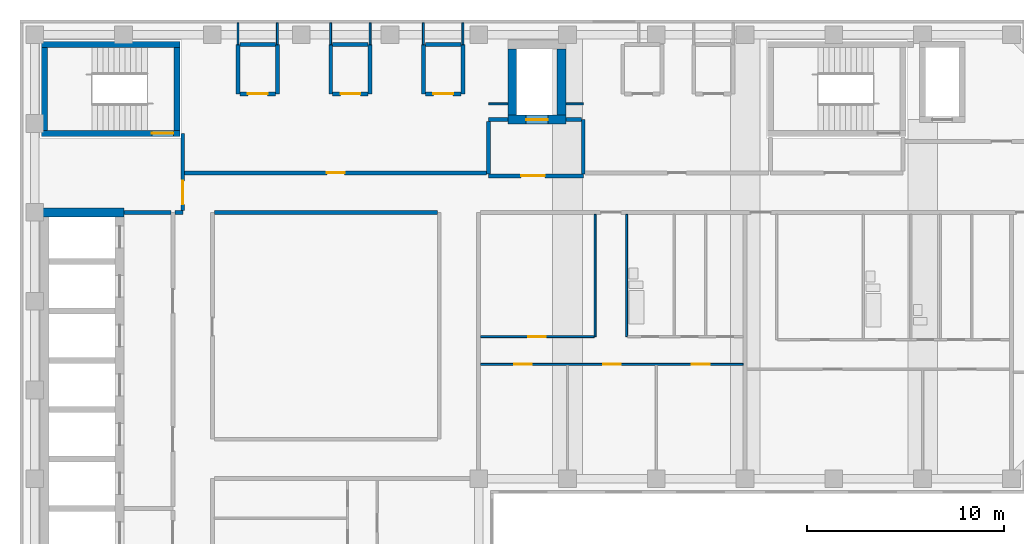
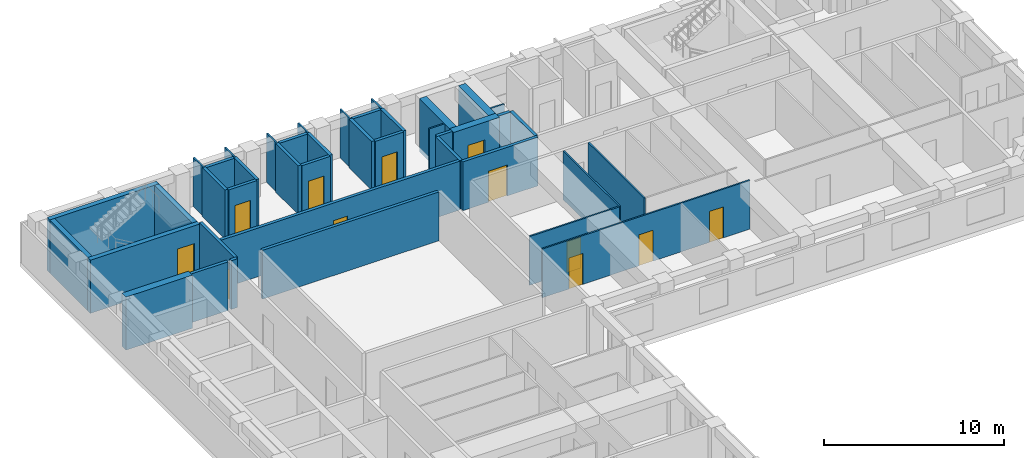
# One storey, part 5 of 10: 42 walls, 12 doors, 12 openings.
"""IFC4 building model written with IfcOpenShell, lengths in metres."""

from ifc_helpers import new_model, si_unit, direction, frame, frame_2d, origin, place, context, subcontext, project, spatial, rectangle, extrude, material, layer, layer_set, type_object, element, fill, save


model = new_model("IFC4")

# Units and contexts
model_context = context("Model", 3, precision=1e-05, world=origin(), true_north=direction((0.0, 1.0)))
body_context = subcontext(model_context, "Body", "Model", "MODEL_VIEW")
ifc_project = project(units=[si_unit("LENGTHUNIT", "METRE"), si_unit("AREAUNIT", "SQUARE_METRE"), si_unit("VOLUMEUNIT", "CUBIC_METRE"), si_unit("PLANEANGLEUNIT", "RADIAN"), si_unit("MASSUNIT", "GRAM", prefix="KILO")], contexts=[model_context])

# Site, building, storey
site_placement = place(None, origin())
site = spatial("IfcSite", under=ifc_project, at=site_placement, CompositionType="ELEMENT")
building_placement = place(site_placement, origin())
building = spatial("IfcBuilding", under=site, at=building_placement, Name="Firuza Court", CompositionType="ELEMENT")
storey_placement = place(building_placement, frame((0.0, 0.0, 193.39990234375)))
storey = spatial("IfcBuildingStorey", under=building, at=storey_placement, Name="L49", CompositionType="ELEMENT", Elevation=193.39990234375)

# Wall
ifc_material_1 = material(Name="Moisture-resistant gypsum board partition")
ifc_layer_1 = layer(ifc_material_1, 0.10009765625)
ifc_layer_set_1 = layer_set([ifc_layer_1], Name="Moisture-resistant gypsum board partition")
wall_type_1 = type_object("IfcWallType", Name="Bathroom partition 100", PredefinedType="PLUMBINGWALL", material=ifc_layer_set_1)
wall_1_placement = place(storey_placement, frame((30.0, 43.199951171875, 0.0), z_axis=(0.0, 0.0, 1.0), x_axis=(0.0, 1.0, 0.0)))
element("IfcWall", 1, at=wall_1_placement, inside=storey, type_object=wall_type_1, Name="Bathroom partition 100 L49", PredefinedType="PLUMBINGWALL", context=body_context, shape_type="SweptSolid", body=[
    extrude(rectangle(XDim=6.199951171875, YDim=0.10009765625, at=frame_2d((3.10009765625, 0.0))), origin(), (0.0, 0.0, 1.0), 3.300048828125),
])

# Wall, opening, door
ifc_material_2 = material(Name="Concrete C50/60", Category="concrete")
ifc_layer_2 = layer(ifc_material_2, 0.300048828125)
ifc_layer_set_2 = layer_set([ifc_layer_2], Name="Concrete C50/60")
wall_type_2 = type_object("IfcWallType", Name="Core wall 300 C50/60", PredefinedType="SHEAR", material=ifc_layer_set_2)
wall_2_placement = place(storey_placement, frame((0.35009765625, 53.5, -0.2998046875), z_axis=(0.0, 0.0, 1.0), x_axis=(1.0, 0.0, 0.0)))
wall_2 = element("IfcWall", 2, at=wall_2_placement, inside=storey, type_object=wall_type_2, Name="Core wall stair L49", PredefinedType="SHEAR", context=body_context, shape_type="SweptSolid", body=[
    extrude(rectangle(XDim=7.0, YDim=0.300048828125, at=frame_2d((3.5, 0.0))), origin(), (0.0, 0.0, 1.0), 3.599853515625),
])
opening_1_placement = place(wall_2_placement, frame((5.580078125, 0.0, 0.300048828125)))
opening_1 = element("IfcOpeningElement", 3, at=opening_1_placement, cuts=wall_2, Name="Opening D49014", PredefinedType="OPENING", context=body_context, shape_type="SweptSolid", body=[
    extrude(rectangle(XDim=1.10009765625, YDim=2.10009765625, at=frame_2d((0.550048828125, 1.050048828125))), frame((0.0, 0.162109375, 0.0), z_axis=(0.0, -1.0, 0.0), x_axis=(1.0, 0.0, 0.0)), (0.0, 0.0, 1.0), 0.323974609375),
])
ifc_material_3 = material(Name="Timber door leaf in hardwood frame", Category="wood")
door_type_1 = type_object("IfcDoorType", Name="Stair door 1100", OperationType="SINGLE_SWING_LEFT", PredefinedType="DOOR", material=ifc_material_3)
door_1_placement = place(opening_1_placement, origin())
door_1 = element("IfcDoor", 4, at=door_1_placement, inside=storey, type_object=door_type_1, Name="Stair door S3", OperationType="SINGLE_SWING_RIGHT", OverallHeight=2.10009765625, OverallWidth=1.10009765625, PredefinedType="DOOR", context=body_context, shape_type="SweptSolid", body=[
    extrude(rectangle(XDim=1.10009765625, YDim=2.10009765625, at=frame_2d((0.550048828125, 1.050048828125))), frame((0.0, 0.02490234375, 0.0), z_axis=(0.0, -1.0, 0.0), x_axis=(1.0, 0.0, 0.0)), (0.0, 0.0, 1.0), 0.050048828125),
])
fill(opening_1, door_1)

# Walls
wall_3_placement = place(storey_placement, frame((0.35009765625, 58.0, -0.2998046875), z_axis=(0.0, 0.0, 1.0), x_axis=(1.0, 0.0, 0.0)))
element("IfcWall", 5, at=wall_3_placement, inside=storey, type_object=wall_type_2, Name="Core wall stair L49", PredefinedType="SHEAR", context=body_context, shape_type="SweptSolid", body=[
    extrude(rectangle(XDim=7.0, YDim=0.300048828125, at=frame_2d((3.5, 0.0))), origin(), (0.0, 0.0, 1.0), 3.599853515625),
])
for number, where, z_axis, x_axis, name in (
    (6, (0.5, 53.64990234375, -0.2998046875), (0.0, 0.0, 1.0), (0.0, 1.0, 0.0), "Core wall stair L49"),
    (7, (7.199951171875, 53.64990234375, -0.2998046875), (0.0, 0.0, 1.0), (0.0, 1.0, 0.0), "Core wall stair L49"),
):
    element("IfcWall", number, at=place(storey_placement, frame(where, z_axis=z_axis, x_axis=x_axis)), inside=storey, type_object=wall_type_2, Name=name, PredefinedType="SHEAR", context=body_context, shape_type="SweptSolid", body=[
        extrude(rectangle(XDim=4.2001953125, YDim=0.300048828125, at=frame_2d((2.10009765625, 0.0))), origin(), (0.0, 0.0, 1.0), 3.599853515625),
    ])
ifc_layer_3 = layer(ifc_material_2, 0.449951171875)
ifc_layer_set_3 = layer_set([ifc_layer_3], Name="Concrete C50/60")
wall_type_3 = type_object("IfcWallType", Name="Core wall 450 C50/60", PredefinedType="SHEAR", material=ifc_layer_set_3)
wall_4_placement = place(storey_placement, frame((0.27490234375, 49.5, -0.2998046875), z_axis=(0.0, 0.0, 1.0), x_axis=(1.0, 0.0, 0.0)))
element("IfcWall", 8, at=wall_4_placement, inside=storey, type_object=wall_type_3, Name="Core wall lift shaft L49", PredefinedType="SHEAR", context=body_context, shape_type="SweptSolid", body=[
    extrude(rectangle(XDim=4.25, YDim=0.449951171875, at=frame_2d((2.125, 0.0))), origin(), (0.0, 0.0, 1.0), 3.599853515625),
])

# Wall, opening, door
wall_5_placement = place(storey_placement, frame((23.97509765625, 54.199951171875, -0.2998046875), z_axis=(0.0, 0.0, 1.0), x_axis=(1.0, 0.0, 0.0)))
wall_5 = element("IfcWall", 9, at=wall_5_placement, inside=storey, type_object=wall_type_3, Name="Core wall lift shaft L49", PredefinedType="SHEAR", context=body_context, shape_type="SweptSolid", body=[
    extrude(rectangle(XDim=2.949951171875, YDim=0.449951171875, at=frame_2d((1.47509765625, 0.0))), origin(), (0.0, 0.0, 1.0), 3.599853515625),
])
opening_2_placement = place(wall_5_placement, frame((0.925048828125, 0.0, 0.300048828125)))
opening_2 = element("IfcOpeningElement", 10, at=opening_2_placement, cuts=wall_5, Name="Opening LD-FL3-49", PredefinedType="OPENING", context=body_context, shape_type="SweptSolid", body=[
    extrude(rectangle(XDim=1.10009765625, YDim=2.10009765625, at=frame_2d((0.550048828125, 1.050048828125))), frame((0.0, 0.23681640625, 0.0), z_axis=(0.0, -1.0, 0.0), x_axis=(1.0, 0.0, 0.0)), (0.0, 0.0, 1.0), 0.473876953125),
])
ifc_material_4 = material(Name="Stainless steel 1.4301 door leaf", Category="steel")
door_type_2 = type_object("IfcDoorType", Name="Lift landing door 1100", OperationType="SLIDING_TO_LEFT", PredefinedType="DOOR", material=ifc_material_4)
door_2_placement = place(opening_2_placement, origin())
door_2 = element("IfcDoor", 11, at=door_2_placement, inside=storey, type_object=door_type_2, Name="Landing door FL3", OperationType="SLIDING_TO_LEFT", OverallHeight=2.10009765625, OverallWidth=1.10009765625, PredefinedType="DOOR", context=body_context, shape_type="SweptSolid", body=[
    extrude(rectangle(XDim=1.10009765625, YDim=2.10009765625, at=frame_2d((0.550048828125, 1.050048828125))), frame((0.0, 0.02490234375, 0.0), z_axis=(0.0, -1.0, 0.0), x_axis=(1.0, 0.0, 0.0)), (0.0, 0.0, 1.0), 0.050048828125),
])
fill(opening_2, door_2)

# Walls
for number, where, z_axis, x_axis, name in (
    (12, (24.199951171875, 54.425048828125, -0.2998046875), (0.0, 0.0, 1.0), (0.0, 1.0, 0.0), "Core wall lift shaft L49"),
    (13, (26.699951171875, 54.425048828125, -0.2998046875), (0.0, 0.0, 1.0), (0.0, 1.0, 0.0), "Core wall lift shaft L49"),
):
    element("IfcWall", number, at=place(storey_placement, frame(where, z_axis=z_axis, x_axis=x_axis)), inside=storey, type_object=wall_type_3, Name=name, PredefinedType="SHEAR", context=body_context, shape_type="SweptSolid", body=[
        extrude(rectangle(XDim=3.349853515625, YDim=0.449951171875, at=frame_2d((1.6748046875, 0.0))), origin(), (0.0, 0.0, 1.0), 3.599853515625),
    ])
ifc_material_5 = material(Name="Blockwork, plastered both sides", Category="masonry")
ifc_layer_4 = layer(ifc_material_5, 0.199951171875)
ifc_layer_set_4 = layer_set([ifc_layer_4], Name="Blockwork, plastered both sides")
wall_type_4 = type_object("IfcWallType", Name="Corridor wall 200", PredefinedType="PARTITIONING", material=ifc_layer_set_4)
wall_6_placement = place(storey_placement, frame((9.10009765625, 49.5, 0.0), z_axis=(0.0, 0.0, 1.0), x_axis=(1.0, 0.0, 0.0)))
element("IfcWall", 14, at=wall_6_placement, inside=storey, type_object=wall_type_4, Name="Corridor wall 200 L49", PredefinedType="PARTITIONING", context=body_context, shape_type="SweptSolid", body=[
    extrude(rectangle(XDim=11.2998046875, YDim=0.199951171875, at=frame_2d((5.64990234375, 0.0))), origin(), (0.0, 0.0, 1.0), 3.300048828125),
])

# Wall, opening, door
wall_7_placement = place(storey_placement, frame((7.60009765625, 51.5, 0.0), z_axis=(0.0, 0.0, 1.0), x_axis=(1.0, 0.0, 0.0)))
wall_7 = element("IfcWall", 15, at=wall_7_placement, inside=storey, type_object=wall_type_4, Name="Corridor wall 200 L49", PredefinedType="PARTITIONING", context=body_context, shape_type="SweptSolid", body=[
    extrude(rectangle(XDim=15.2998046875, YDim=0.199951171875, at=frame_2d((7.64990234375, 0.0))), origin(), (0.0, 0.0, 1.0), 3.300048828125),
])
opening_3_placement = place(wall_7_placement, frame((7.199951171875, 0.0, 0.0)))
opening_3 = element("IfcOpeningElement", 16, at=opening_3_placement, cuts=wall_7, Name="Opening D49058", PredefinedType="OPENING", context=body_context, shape_type="SweptSolid", body=[
    extrude(rectangle(XDim=0.89990234375, YDim=2.10009765625, at=frame_2d((0.449951171875, 1.050048828125))), frame((0.0, 0.11181640625, 0.0), z_axis=(0.0, -1.0, 0.0), x_axis=(1.0, 0.0, 0.0)), (0.0, 0.0, 1.0), 0.223876953125),
])
ifc_material_6 = material(Name="Timber door leaf in hardwood frame", Category="wood")
door_type_3 = type_object("IfcDoorType", Name="Room door 900 EI 30", OperationType="SINGLE_SWING_LEFT", PredefinedType="DOOR", material=ifc_material_6)
door_3_placement = place(opening_3_placement, origin())
door_3 = element("IfcDoor", 17, at=door_3_placement, inside=storey, type_object=door_type_3, Name="Residents' workroom door", OperationType="SINGLE_SWING_LEFT", OverallHeight=2.10009765625, OverallWidth=0.89990234375, PredefinedType="DOOR", context=body_context, shape_type="SweptSolid", body=[
    extrude(rectangle(XDim=0.89990234375, YDim=2.10009765625, at=frame_2d((0.449951171875, 1.050048828125))), frame((0.0, 0.02490234375, 0.0), z_axis=(0.0, -1.0, 0.0), x_axis=(1.0, 0.0, 0.0)), (0.0, 0.0, 1.0), 0.050048828125),
])
fill(opening_3, door_3)

# Wall, openings, doors
ifc_material_7 = material(Name="Timber stud partition, plasterboard both sides", Category="wood")
ifc_layer_5 = layer(ifc_material_7, 0.10009765625)
ifc_layer_set_5 = layer_set([ifc_layer_5], Name="Timber stud partition, plasterboard both sides")
wall_type_5 = type_object("IfcWallType", Name="Partition wall 100", PredefinedType="PARTITIONING", material=ifc_layer_set_5)
wall_8_placement = place(storey_placement, frame((22.60009765625, 41.800048828125, 0.0), z_axis=(0.0, 0.0, 1.0), x_axis=(1.0, 0.0, 0.0)))
wall_8 = element("IfcWall", 18, at=wall_8_placement, inside=storey, type_object=wall_type_5, Name="Partition wall 100 L49", PredefinedType="PARTITIONING", context=body_context, shape_type="SweptSolid", body=[
    extrude(rectangle(XDim=13.2998046875, YDim=0.10009765625, at=frame_2d((6.64990234375, 0.0))), origin(), (0.0, 0.0, 1.0), 3.300048828125),
])
opening_4_placement = place(wall_8_placement, frame((1.699951171875, 0.0, 0.0)))
opening_4 = element("IfcOpeningElement", 19, at=opening_4_placement, cuts=wall_8, Name="Opening D49041", PredefinedType="OPENING", context=body_context, shape_type="SweptSolid", body=[
    extrude(rectangle(XDim=0.89990234375, YDim=2.10009765625, at=frame_2d((0.449951171875, 1.050048828125))), frame((0.0, 0.06201171875, 0.0), z_axis=(0.0, -1.0, 0.0), x_axis=(1.0, 0.0, 0.0)), (0.0, 0.0, 1.0), 0.1240234375),
])
opening_5_placement = place(wall_8_placement, frame((6.199951171875, 0.0, 0.0)))
opening_5 = element("IfcOpeningElement", 20, at=opening_5_placement, cuts=wall_8, Name="Opening D49042", PredefinedType="OPENING", context=body_context, shape_type="SweptSolid", body=[
    extrude(rectangle(XDim=0.89990234375, YDim=2.10009765625, at=frame_2d((0.449951171875, 1.050048828125))), frame((0.0, 0.06201171875, 0.0), z_axis=(0.0, -1.0, 0.0), x_axis=(1.0, 0.0, 0.0)), (0.0, 0.0, 1.0), 0.1240234375),
])
opening_6_placement = place(wall_8_placement, frame((10.699951171875, 0.0, 0.0)))
opening_6 = element("IfcOpeningElement", 21, at=opening_6_placement, cuts=wall_8, Name="Opening D49043", PredefinedType="OPENING", context=body_context, shape_type="SweptSolid", body=[
    extrude(rectangle(XDim=0.89990234375, YDim=2.10009765625, at=frame_2d((0.449951171875, 1.050048828125))), frame((0.0, 0.06201171875, 0.0), z_axis=(0.0, -1.0, 0.0), x_axis=(1.0, 0.0, 0.0)), (0.0, 0.0, 1.0), 0.1240234375),
])
ifc_material_8 = material(Name="Timber door leaf in hardwood frame", Category="wood")
door_type_4 = type_object("IfcDoorType", Name="Room door 900", OperationType="SINGLE_SWING_LEFT", PredefinedType="DOOR", material=ifc_material_8)
door_4_placement = place(opening_4_placement, frame((0.89990234375, 0.0, 0.0), z_axis=(0.0, 0.0, 1.0), x_axis=(-1.0, 0.0, 0.0)))
door_4 = element("IfcDoor", 22, at=door_4_placement, inside=storey, type_object=door_type_4, Name="Living room door", OperationType="SINGLE_SWING_RIGHT", OverallHeight=2.10009765625, OverallWidth=0.89990234375, PredefinedType="DOOR", context=body_context, shape_type="SweptSolid", body=[
    extrude(rectangle(XDim=0.89990234375, YDim=2.10009765625, at=frame_2d((0.449951171875, 1.050048828125))), frame((0.0, 0.02490234375, 0.0), z_axis=(0.0, -1.0, 0.0), x_axis=(1.0, 0.0, 0.0)), (0.0, 0.0, 1.0), 0.050048828125),
])
fill(opening_4, door_4)
door_5_placement = place(opening_5_placement, frame((0.89990234375, 0.0, 0.0), z_axis=(0.0, 0.0, 1.0), x_axis=(-1.0, 0.0, 0.0)))
door_5 = element("IfcDoor", 23, at=door_5_placement, inside=storey, type_object=door_type_4, Name="Bedroom door", OperationType="SINGLE_SWING_RIGHT", OverallHeight=2.10009765625, OverallWidth=0.89990234375, PredefinedType="DOOR", context=body_context, shape_type="SweptSolid", body=[
    extrude(rectangle(XDim=0.89990234375, YDim=2.10009765625, at=frame_2d((0.449951171875, 1.050048828125))), frame((0.0, 0.02490234375, 0.0), z_axis=(0.0, -1.0, 0.0), x_axis=(1.0, 0.0, 0.0)), (0.0, 0.0, 1.0), 0.050048828125),
])
fill(opening_5, door_5)
door_6_placement = place(opening_6_placement, frame((0.89990234375, 0.0, 0.0), z_axis=(0.0, 0.0, 1.0), x_axis=(-1.0, 0.0, 0.0)))
door_6 = element("IfcDoor", 24, at=door_6_placement, inside=storey, type_object=door_type_4, Name="Study door", OperationType="SINGLE_SWING_RIGHT", OverallHeight=2.10009765625, OverallWidth=0.89990234375, PredefinedType="DOOR", context=body_context, shape_type="SweptSolid", body=[
    extrude(rectangle(XDim=0.89990234375, YDim=2.10009765625, at=frame_2d((0.449951171875, 1.050048828125))), frame((0.0, 0.02490234375, 0.0), z_axis=(0.0, -1.0, 0.0), x_axis=(1.0, 0.0, 0.0)), (0.0, 0.0, 1.0), 0.050048828125),
])
fill(opening_6, door_6)

# Wall, opening, door
wall_9_placement = place(storey_placement, frame((22.60009765625, 43.199951171875, 0.0), z_axis=(0.0, 0.0, 1.0), x_axis=(1.0, 0.0, 0.0)))
wall_9 = element("IfcWall", 25, at=wall_9_placement, inside=storey, type_object=wall_type_5, Name="Partition wall 100 L49", PredefinedType="PARTITIONING", context=body_context, shape_type="SweptSolid", body=[
    extrude(rectangle(XDim=5.75, YDim=0.10009765625, at=frame_2d((2.875, 0.0))), origin(), (0.0, 0.0, 1.0), 3.300048828125),
])
opening_7_placement = place(wall_9_placement, frame((2.39990234375, 0.0, 0.0)))
opening_7 = element("IfcOpeningElement", 26, at=opening_7_placement, cuts=wall_9, Name="Opening D49049", PredefinedType="OPENING", context=body_context, shape_type="SweptSolid", body=[
    extrude(rectangle(XDim=0.89990234375, YDim=2.10009765625, at=frame_2d((0.449951171875, 1.050048828125))), frame((0.0, 0.06201171875, 0.0), z_axis=(0.0, -1.0, 0.0), x_axis=(1.0, 0.0, 0.0)), (0.0, 0.0, 1.0), 0.1240234375),
])
door_7_placement = place(opening_7_placement, origin())
door_7 = element("IfcDoor", 27, at=door_7_placement, inside=storey, type_object=door_type_4, Name="Kitchen door", OperationType="SINGLE_SWING_LEFT", OverallHeight=2.10009765625, OverallWidth=0.89990234375, PredefinedType="DOOR", context=body_context, shape_type="SweptSolid", body=[
    extrude(rectangle(XDim=0.89990234375, YDim=2.10009765625, at=frame_2d((0.449951171875, 1.050048828125))), frame((0.0, 0.02490234375, 0.0), z_axis=(0.0, -1.0, 0.0), x_axis=(1.0, 0.0, 0.0)), (0.0, 0.0, 1.0), 0.050048828125),
])
fill(opening_7, door_7)

# Walls
wall_10_placement = place(storey_placement, frame((28.39990234375, 43.199951171875, 0.0), z_axis=(0.0, 0.0, 1.0), x_axis=(0.0, 1.0, 0.0)))
element("IfcWall", 28, at=wall_10_placement, inside=storey, type_object=wall_type_5, Name="Partition wall 100 L49", PredefinedType="PARTITIONING", context=body_context, shape_type="SweptSolid", body=[
    extrude(rectangle(XDim=6.199951171875, YDim=0.10009765625, at=frame_2d((3.10009765625, 0.0))), origin(), (0.0, 0.0, 1.0), 3.300048828125),
])
wall_11_placement = place(storey_placement, frame((23.0, 55.0, 0.0), z_axis=(0.0, 0.0, 1.0), x_axis=(1.0, 0.0, 0.0)))
element("IfcWall", 29, at=wall_11_placement, inside=storey, type_object=wall_type_5, Name="Partition wall 100 L49", PredefinedType="PARTITIONING", context=body_context, shape_type="SweptSolid", body=[
    extrude(rectangle(XDim=0.97509765625, YDim=0.10009765625, at=frame_2d((0.487548828125, 0.0))), origin(), (0.0, 0.0, 1.0), 3.300048828125),
])
wall_12_placement = place(storey_placement, frame((26.925048828125, 55.0, 0.0), z_axis=(0.0, 0.0, 1.0), x_axis=(1.0, 0.0, 0.0)))
element("IfcWall", 30, at=wall_12_placement, inside=storey, type_object=wall_type_5, Name="Partition wall 100 L49", PredefinedType="PARTITIONING", context=body_context, shape_type="SweptSolid", body=[
    extrude(rectangle(XDim=0.875, YDim=0.10009765625, at=frame_2d((0.4375, 0.0))), origin(), (0.0, 0.0, 1.0), 3.300048828125),
])
for number, where, z_axis, x_axis, name in (
    (31, (10.300048828125, 58.0, 0.0), (0.0, 0.0, 1.0), (0.0, 1.0, 0.0), "Partition wall 100 L49"),
    (32, (12.300048828125, 58.0, 0.0), (0.0, 0.0, 1.0), (0.0, 1.0, 0.0), "Partition wall 100 L49"),
    (33, (15.0, 58.0, 0.0), (0.0, 0.0, 1.0), (0.0, 1.0, 0.0), "Partition wall 100 L49"),
    (34, (17.0, 58.0, 0.0), (0.0, 0.0, 1.0), (0.0, 1.0, 0.0), "Partition wall 100 L49"),
    (35, (19.699951171875, 58.0, 0.0), (0.0, 0.0, 1.0), (0.0, 1.0, 0.0), "Partition wall 100 L49"),
    (36, (21.699951171875, 58.0, 0.0), (0.0, 0.0, 1.0), (0.0, 1.0, 0.0), "Partition wall 100 L49"),
):
    element("IfcWall", number, at=place(storey_placement, frame(where, z_axis=z_axis, x_axis=x_axis)), inside=storey, type_object=wall_type_5, Name=name, PredefinedType="PARTITIONING", context=body_context, shape_type="SweptSolid", body=[
        extrude(rectangle(XDim=1.10009765625, YDim=0.10009765625, at=frame_2d((0.550048828125, 0.0))), origin(), (0.0, 0.0, 1.0), 3.300048828125),
    ])
ifc_material_9 = material(Name="Blockwork, fire-rated", Category="masonry")
ifc_layer_6 = layer(ifc_material_9, 0.199951171875)
ifc_layer_set_6 = layer_set([ifc_layer_6], Name="Blockwork, fire-rated")
wall_type_6 = type_object("IfcWallType", Name="Plant room wall 200", PredefinedType="PARTITIONING", material=ifc_layer_set_6)
wall_13_placement = place(storey_placement, frame((10.300048828125, 55.5, 0.0), z_axis=(0.0, 0.0, 1.0), x_axis=(0.0, 1.0, 0.0)))
element("IfcWall", 37, at=wall_13_placement, inside=storey, type_object=wall_type_6, Name="Plant room wall 200 L49", PredefinedType="PARTITIONING", context=body_context, shape_type="SweptSolid", body=[
    extrude(rectangle(XDim=2.5, YDim=0.199951171875, at=frame_2d((1.25, 0.0))), origin(), (0.0, 0.0, 1.0), 3.300048828125),
])

# Wall, opening, door
wall_14_placement = place(storey_placement, frame((10.39990234375, 55.5, 0.0), z_axis=(0.0, 0.0, 1.0), x_axis=(1.0, 0.0, 0.0)))
wall_14 = element("IfcWall", 38, at=wall_14_placement, inside=storey, type_object=wall_type_6, Name="Plant room wall 200 L49", PredefinedType="PARTITIONING", context=body_context, shape_type="SweptSolid", body=[
    extrude(rectangle(XDim=1.800048828125, YDim=0.199951171875, at=frame_2d((0.89990234375, 0.0))), origin(), (0.0, 0.0, 1.0), 3.300048828125),
])
opening_8_placement = place(wall_14_placement, frame((0.39990234375, 0.0, 0.0)))
opening_8 = element("IfcOpeningElement", 39, at=opening_8_placement, cuts=wall_14, Name="Opening D49061", PredefinedType="OPENING", context=body_context, shape_type="SweptSolid", body=[
    extrude(rectangle(XDim=1.0, YDim=2.10009765625, at=frame_2d((0.5, 1.050048828125))), frame((0.0, 0.11181640625, 0.0), z_axis=(0.0, -1.0, 0.0), x_axis=(1.0, 0.0, 0.0)), (0.0, 0.0, 1.0), 0.223876953125),
])
ifc_material_10 = material(Name="Timber door leaf in hardwood frame", Category="wood")
door_type_5 = type_object("IfcDoorType", Name="Riser door 1000", OperationType="SINGLE_SWING_LEFT", PredefinedType="DOOR", material=ifc_material_10)
door_8_placement = place(opening_8_placement, origin())
door_8 = element("IfcDoor", 40, at=door_8_placement, inside=storey, type_object=door_type_5, Name="Comms riser door", OperationType="SINGLE_SWING_LEFT", OverallHeight=2.10009765625, OverallWidth=1.0, PredefinedType="DOOR", context=body_context, shape_type="SweptSolid", body=[
    extrude(rectangle(XDim=1.0, YDim=2.10009765625, at=frame_2d((0.5, 1.050048828125))), frame((0.0, 0.02490234375, 0.0), z_axis=(0.0, -1.0, 0.0), x_axis=(1.0, 0.0, 0.0)), (0.0, 0.0, 1.0), 0.050048828125),
])
fill(opening_8, door_8)

# Walls
for number, where, z_axis, x_axis, name in (
    (41, (12.300048828125, 55.5, 0.0), (0.0, 0.0, 1.0), (0.0, 1.0, 0.0), "Plant room wall 200 L49"),
    (42, (15.0, 55.5, 0.0), (0.0, 0.0, 1.0), (0.0, 1.0, 0.0), "Plant room wall 200 L49"),
):
    element("IfcWall", number, at=place(storey_placement, frame(where, z_axis=z_axis, x_axis=x_axis)), inside=storey, type_object=wall_type_6, Name=name, PredefinedType="PARTITIONING", context=body_context, shape_type="SweptSolid", body=[
        extrude(rectangle(XDim=2.5, YDim=0.199951171875, at=frame_2d((1.25, 0.0))), origin(), (0.0, 0.0, 1.0), 3.300048828125),
    ])

# Wall, opening, door
wall_15_placement = place(storey_placement, frame((15.10009765625, 55.5, 0.0), z_axis=(0.0, 0.0, 1.0), x_axis=(1.0, 0.0, 0.0)))
wall_15 = element("IfcWall", 43, at=wall_15_placement, inside=storey, type_object=wall_type_6, Name="Plant room wall 200 L49", PredefinedType="PARTITIONING", context=body_context, shape_type="SweptSolid", body=[
    extrude(rectangle(XDim=1.7998046875, YDim=0.199951171875, at=frame_2d((0.89990234375, 0.0))), origin(), (0.0, 0.0, 1.0), 3.300048828125),
])
opening_9_placement = place(wall_15_placement, frame((0.39990234375, 0.0, 0.0)))
opening_9 = element("IfcOpeningElement", 44, at=opening_9_placement, cuts=wall_15, Name="Opening D49062", PredefinedType="OPENING", context=body_context, shape_type="SweptSolid", body=[
    extrude(rectangle(XDim=1.0, YDim=2.10009765625, at=frame_2d((0.5, 1.050048828125))), frame((0.0, 0.11181640625, 0.0), z_axis=(0.0, -1.0, 0.0), x_axis=(1.0, 0.0, 0.0)), (0.0, 0.0, 1.0), 0.223876953125),
])
door_9_placement = place(opening_9_placement, origin())
door_9 = element("IfcDoor", 45, at=door_9_placement, inside=storey, type_object=door_type_5, Name="Electrical riser door", OperationType="SINGLE_SWING_LEFT", OverallHeight=2.10009765625, OverallWidth=1.0, PredefinedType="DOOR", context=body_context, shape_type="SweptSolid", body=[
    extrude(rectangle(XDim=1.0, YDim=2.10009765625, at=frame_2d((0.5, 1.050048828125))), frame((0.0, 0.02490234375, 0.0), z_axis=(0.0, -1.0, 0.0), x_axis=(1.0, 0.0, 0.0)), (0.0, 0.0, 1.0), 0.050048828125),
])
fill(opening_9, door_9)

# Walls
for number, where, z_axis, x_axis, name in (
    (46, (17.0, 55.5, 0.0), (0.0, 0.0, 1.0), (0.0, 1.0, 0.0), "Plant room wall 200 L49"),
    (47, (19.699951171875, 55.5, 0.0), (0.0, 0.0, 1.0), (0.0, 1.0, 0.0), "Plant room wall 200 L49"),
):
    element("IfcWall", number, at=place(storey_placement, frame(where, z_axis=z_axis, x_axis=x_axis)), inside=storey, type_object=wall_type_6, Name=name, PredefinedType="PARTITIONING", context=body_context, shape_type="SweptSolid", body=[
        extrude(rectangle(XDim=2.5, YDim=0.199951171875, at=frame_2d((1.25, 0.0))), origin(), (0.0, 0.0, 1.0), 3.300048828125),
    ])

# Wall, opening, door
wall_16_placement = place(storey_placement, frame((19.800048828125, 55.5, 0.0), z_axis=(0.0, 0.0, 1.0), x_axis=(1.0, 0.0, 0.0)))
wall_16 = element("IfcWall", 48, at=wall_16_placement, inside=storey, type_object=wall_type_6, Name="Plant room wall 200 L49", PredefinedType="PARTITIONING", context=body_context, shape_type="SweptSolid", body=[
    extrude(rectangle(XDim=1.800048828125, YDim=0.199951171875, at=frame_2d((0.89990234375, 0.0))), origin(), (0.0, 0.0, 1.0), 3.300048828125),
])
opening_10_placement = place(wall_16_placement, frame((0.39990234375, 0.0, 0.0)))
opening_10 = element("IfcOpeningElement", 49, at=opening_10_placement, cuts=wall_16, Name="Opening D49063", PredefinedType="OPENING", context=body_context, shape_type="SweptSolid", body=[
    extrude(rectangle(XDim=1.0, YDim=2.10009765625, at=frame_2d((0.5, 1.050048828125))), frame((0.0, 0.11181640625, 0.0), z_axis=(0.0, -1.0, 0.0), x_axis=(1.0, 0.0, 0.0)), (0.0, 0.0, 1.0), 0.223876953125),
])
door_10_placement = place(opening_10_placement, origin())
door_10 = element("IfcDoor", 50, at=door_10_placement, inside=storey, type_object=door_type_5, Name="Duct riser door", OperationType="SINGLE_SWING_LEFT", OverallHeight=2.10009765625, OverallWidth=1.0, PredefinedType="DOOR", context=body_context, shape_type="SweptSolid", body=[
    extrude(rectangle(XDim=1.0, YDim=2.10009765625, at=frame_2d((0.5, 1.050048828125))), frame((0.0, 0.02490234375, 0.0), z_axis=(0.0, -1.0, 0.0), x_axis=(1.0, 0.0, 0.0)), (0.0, 0.0, 1.0), 0.050048828125),
])
fill(opening_10, door_10)

# Walls
wall_17_placement = place(storey_placement, frame((21.699951171875, 55.5, 0.0), z_axis=(0.0, 0.0, 1.0), x_axis=(0.0, 1.0, 0.0)))
element("IfcWall", 51, at=wall_17_placement, inside=storey, type_object=wall_type_6, Name="Plant room wall 200 L49", PredefinedType="PARTITIONING", context=body_context, shape_type="SweptSolid", body=[
    extrude(rectangle(XDim=2.5, YDim=0.199951171875, at=frame_2d((1.25, 0.0))), origin(), (0.0, 0.0, 1.0), 3.300048828125),
])
wall_18_placement = place(storey_placement, frame((10.39990234375, 58.0, 0.0), z_axis=(0.0, 0.0, 1.0), x_axis=(1.0, 0.0, 0.0)))
element("IfcWall", 52, at=wall_18_placement, inside=storey, type_object=wall_type_6, Name="Plant room wall 200 L49", PredefinedType="PARTITIONING", context=body_context, shape_type="SweptSolid", body=[
    extrude(rectangle(XDim=1.800048828125, YDim=0.199951171875, at=frame_2d((0.89990234375, 0.0))), origin(), (0.0, 0.0, 1.0), 3.300048828125),
])
wall_19_placement = place(storey_placement, frame((15.10009765625, 58.0, 0.0), z_axis=(0.0, 0.0, 1.0), x_axis=(1.0, 0.0, 0.0)))
element("IfcWall", 53, at=wall_19_placement, inside=storey, type_object=wall_type_6, Name="Plant room wall 200 L49", PredefinedType="PARTITIONING", context=body_context, shape_type="SweptSolid", body=[
    extrude(rectangle(XDim=1.7998046875, YDim=0.199951171875, at=frame_2d((0.89990234375, 0.0))), origin(), (0.0, 0.0, 1.0), 3.300048828125),
])
wall_20_placement = place(storey_placement, frame((19.800048828125, 58.0, 0.0), z_axis=(0.0, 0.0, 1.0), x_axis=(1.0, 0.0, 0.0)))
element("IfcWall", 54, at=wall_20_placement, inside=storey, type_object=wall_type_6, Name="Plant room wall 200 L49", PredefinedType="PARTITIONING", context=body_context, shape_type="SweptSolid", body=[
    extrude(rectangle(XDim=1.800048828125, YDim=0.199951171875, at=frame_2d((0.89990234375, 0.0))), origin(), (0.0, 0.0, 1.0), 3.300048828125),
])
ifc_layer_7 = layer(ifc_material_9, 0.199951171875)
ifc_layer_set_7 = layer_set([ifc_layer_7], Name="Blockwork, fire-rated")
wall_type_7 = type_object("IfcWallType", Name="Shaft wall 200", PredefinedType="PARTITIONING", material=ifc_layer_set_7)
wall_21_placement = place(storey_placement, frame((4.52490234375, 49.5, 0.0), z_axis=(0.0, 0.0, 1.0), x_axis=(1.0, 0.0, 0.0)))
element("IfcWall", 55, at=wall_21_placement, inside=storey, type_object=wall_type_7, Name="Shaft wall 200 L49", PredefinedType="PARTITIONING", context=body_context, shape_type="SweptSolid", body=[
    extrude(rectangle(XDim=2.375, YDim=0.199951171875, at=frame_2d((1.1875, 0.0))), origin(), (0.0, 0.0, 1.0), 3.300048828125),
])

# Wall, opening, door
wall_22_placement = place(storey_placement, frame((23.0, 51.35009765625, 0.0), z_axis=(0.0, 0.0, 1.0), x_axis=(1.0, 0.0, 0.0)))
wall_22 = element("IfcWall", 56, at=wall_22_placement, inside=storey, type_object=wall_type_7, Name="Shaft wall 200 L49", PredefinedType="PARTITIONING", context=body_context, shape_type="SweptSolid", body=[
    extrude(rectangle(XDim=4.800048828125, YDim=0.199951171875, at=frame_2d((2.39990234375, 0.0))), origin(), (0.0, 0.0, 1.0), 3.300048828125),
])
opening_11_placement = place(wall_22_placement, frame((1.64990234375, 0.0, 0.0)))
opening_11 = element("IfcOpeningElement", 57, at=opening_11_placement, cuts=wall_22, Name="Opening D49003", PredefinedType="OPENING", context=body_context, shape_type="SweptSolid", body=[
    extrude(rectangle(XDim=1.199951171875, YDim=2.10009765625, at=frame_2d((0.60009765625, 1.050048828125))), frame((0.0, 0.11181640625, 0.0), z_axis=(0.0, -1.0, 0.0), x_axis=(1.0, 0.0, 0.0)), (0.0, 0.0, 1.0), 0.223876953125),
])
ifc_material_11 = material(Name="Timber door leaf in hardwood frame", Category="wood")
door_type_6 = type_object("IfcDoorType", Name="Lobby door 1200", OperationType="SINGLE_SWING_LEFT", PredefinedType="DOOR", material=ifc_material_11)
door_11_placement = place(opening_11_placement, origin())
door_11 = element("IfcDoor", 58, at=door_11_placement, inside=storey, type_object=door_type_6, Name="Fire-fighting lobby door", OperationType="SINGLE_SWING_LEFT", OverallHeight=2.10009765625, OverallWidth=1.199951171875, PredefinedType="DOOR", context=body_context, shape_type="SweptSolid", body=[
    extrude(rectangle(XDim=1.199951171875, YDim=2.10009765625, at=frame_2d((0.60009765625, 1.050048828125))), frame((0.0, 0.02490234375, 0.0), z_axis=(0.0, -1.0, 0.0), x_axis=(1.0, 0.0, 0.0)), (0.0, 0.0, 1.0), 0.050048828125),
])
fill(opening_11, door_11)

# Walls
wall_23_placement = place(storey_placement, frame((27.800048828125, 51.449951171875, 0.0), z_axis=(0.0, 0.0, 1.0), x_axis=(0.0, 1.0, 0.0)))
element("IfcWall", 59, at=wall_23_placement, inside=storey, type_object=wall_type_7, Name="Shaft wall 200 L49", PredefinedType="PARTITIONING", context=body_context, shape_type="SweptSolid", body=[
    extrude(rectangle(XDim=2.75, YDim=0.199951171875, at=frame_2d((1.375, 0.0))), origin(), (0.0, 0.0, 1.0), 3.300048828125),
])
wall_24_placement = place(storey_placement, frame((23.0, 54.199951171875, 0.0), z_axis=(0.0, 0.0, 1.0), x_axis=(1.0, 0.0, 0.0)))
element("IfcWall", 60, at=wall_24_placement, inside=storey, type_object=wall_type_7, Name="Shaft wall 200 L49", PredefinedType="PARTITIONING", context=body_context, shape_type="SweptSolid", body=[
    extrude(rectangle(XDim=0.97509765625, YDim=0.199951171875, at=frame_2d((0.487548828125, 0.0))), origin(), (0.0, 0.0, 1.0), 3.300048828125),
])
wall_25_placement = place(storey_placement, frame((26.925048828125, 54.199951171875, 0.0), z_axis=(0.0, 0.0, 1.0), x_axis=(1.0, 0.0, 0.0)))
element("IfcWall", 61, at=wall_25_placement, inside=storey, type_object=wall_type_7, Name="Shaft wall 200 L49", PredefinedType="PARTITIONING", context=body_context, shape_type="SweptSolid", body=[
    extrude(rectangle(XDim=0.77490234375, YDim=0.199951171875, at=frame_2d((0.387451171875, 0.0))), origin(), (0.0, 0.0, 1.0), 3.300048828125),
])
wall_26_placement = place(storey_placement, frame((23.0, 51.449951171875, 0.0), z_axis=(0.0, 0.0, 1.0), x_axis=(0.0, 1.0, 0.0)))
element("IfcWall", 62, at=wall_26_placement, inside=storey, type_object=wall_type_7, Name="Shaft wall 200 L49", PredefinedType="PARTITIONING", context=body_context, shape_type="SweptSolid", body=[
    extrude(rectangle(XDim=2.650146484375, YDim=0.199951171875, at=frame_2d((1.3251953125, 0.0))), origin(), (0.0, 0.0, 1.0), 3.300048828125),
])
wall_27_placement = place(storey_placement, frame((7.10009765625, 49.5, 0.0), z_axis=(0.0, 0.0, 1.0), x_axis=(1.0, 0.0, 0.0)))
element("IfcWall", 63, at=wall_27_placement, inside=storey, type_object=wall_type_7, Name="Shaft wall 200 L49", PredefinedType="PARTITIONING", context=body_context, shape_type="SweptSolid", body=[
    extrude(rectangle(XDim=0.39990234375, YDim=0.199951171875, at=frame_2d((0.199951171875, 0.0))), origin(), (0.0, 0.0, 1.0), 3.300048828125),
])

# Wall, opening, door
wall_28_placement = place(storey_placement, frame((7.5, 49.60009765625, 0.0), z_axis=(0.0, 0.0, 1.0), x_axis=(0.0, 1.0, 0.0)))
wall_28 = element("IfcWall", 64, at=wall_28_placement, inside=storey, type_object=wall_type_7, Name="Shaft wall 200 L49", PredefinedType="PARTITIONING", context=body_context, shape_type="SweptSolid", body=[
    extrude(rectangle(XDim=3.89990234375, YDim=0.199951171875, at=frame_2d((1.949951171875, 0.0))), origin(), (0.0, 0.0, 1.0), 3.300048828125),
])
opening_12_placement = place(wall_28_placement, frame((0.300048828125, 0.0, 0.0)))
opening_12 = element("IfcOpeningElement", 65, at=opening_12_placement, cuts=wall_28, Name="Opening D49001", PredefinedType="OPENING", context=body_context, shape_type="SweptSolid", body=[
    extrude(rectangle(XDim=1.199951171875, YDim=2.10009765625, at=frame_2d((0.60009765625, 1.050048828125))), frame((0.0, 0.11181640625, 0.0), z_axis=(0.0, -1.0, 0.0), x_axis=(1.0, 0.0, 0.0)), (0.0, 0.0, 1.0), 0.223876953125),
])
door_12_placement = place(opening_12_placement, origin())
door_12 = element("IfcDoor", 66, at=door_12_placement, inside=storey, type_object=door_type_6, Name="Lobby door", OperationType="SINGLE_SWING_LEFT", OverallHeight=2.10009765625, OverallWidth=1.199951171875, PredefinedType="DOOR", context=body_context, shape_type="SweptSolid", body=[
    extrude(rectangle(XDim=1.199951171875, YDim=2.10009765625, at=frame_2d((0.60009765625, 1.050048828125))), frame((0.0, 0.02490234375, 0.0), z_axis=(0.0, -1.0, 0.0), x_axis=(1.0, 0.0, 0.0)), (0.0, 0.0, 1.0), 0.050048828125),
])
fill(opening_12, door_12)

save(model, "model.ifc")
